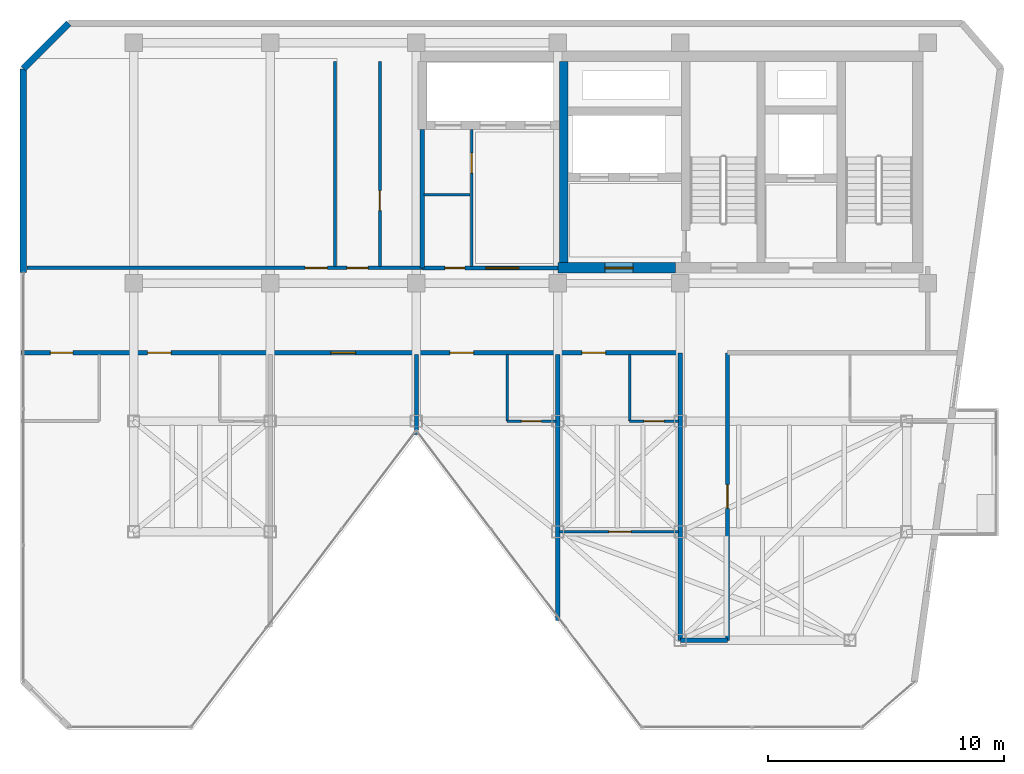
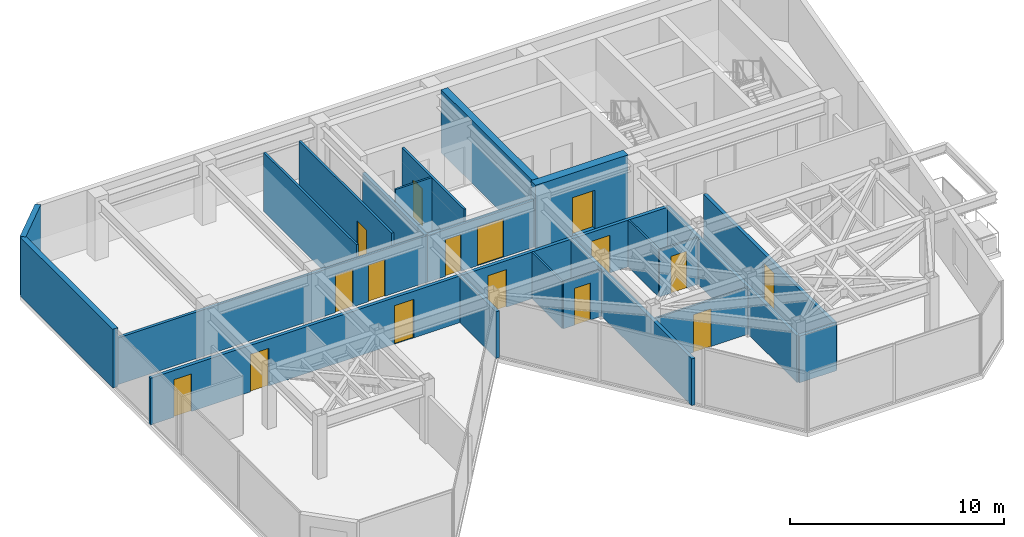
# One storey, part 15 of 19: 22 walls, 16 doors, 16 openings.
"""IFC4 building model written with IfcOpenShell, lengths in metres."""

import ifcopenshell
import ifcopenshell.guid

model = None  # the IFC model being written
_history = None  # IfcOwnerHistory: only IFC2X3 demands one
_inside = {}  # id of a spatial element -> (the spatial element, [elements in it])
_under = {}  # id of a project, library or spatial element -> (it, [spatial elements below it])
_declared = {}  # id of a project -> (the project, [libraries it declares])
_typed = {}  # id of a type object -> (the type object, [elements of that type])
_made_of = {}  # id of a material, layer set ... -> (it, [elements and type objects made of it])


def new_model(schema):
    """Start an empty IFC model of exactly this schema.

    Asked for "IFC4X3", IfcOpenShell would pick the latest addendum, in which some entities
    have other attributes; the version numbers below select the first issue.
    IFC2X3 requires an IfcOwnerHistory on every rooted entity: one is made here for all.
    """
    global model, _history
    if schema == "IFC4X3":
        model = ifcopenshell.file(schema_version=(4, 3, 0, 0))
    else:
        model = ifcopenshell.file(schema=schema)
    _inside.clear()
    _under.clear()
    _declared.clear()
    _typed.clear()
    _made_of.clear()
    _history = None
    if model.schema == "IFC2X3":
        org = make("IfcOrganization", Name="unknown")
        user = make(
            "IfcPersonAndOrganization",
            ThePerson=make("IfcPerson", FamilyName="unknown"),
            TheOrganization=org,
        )
        app = make(
            "IfcApplication",
            ApplicationDeveloper=org,
            Version="unknown",
            ApplicationFullName="unknown",
            ApplicationIdentifier="unknown",
        )
        _history = make(
            "IfcOwnerHistory",
            OwningUser=user,
            OwningApplication=app,
            ChangeAction="ADDED",
            CreationDate=0,
        )
    return model


def make(cls, **values):
    """One entity of the class cls with the attributes given. An attribute that is None is left unset."""
    return model.create_entity(
        cls, **{name: value for name, value in values.items() if value is not None}
    )


def rooted(cls, **values):
    """An entity with a GlobalId (a new one), such as an element, a storey or a relation."""
    return make(cls, GlobalId=ifcopenshell.guid.new(), OwnerHistory=_history, **values)


def si_unit(unit_type, name, prefix=None):
    """IfcSIUnit, for example si_unit("LENGTHUNIT", "METRE", prefix="MILLI")."""
    return make("IfcSIUnit", UnitType=unit_type, Prefix=prefix, Name=name)


def assignment(units):
    """IfcUnitAssignment: the units of a project."""
    return None if units is None else make("IfcUnitAssignment", Units=units)


def point(xyz):
    """IfcCartesianPoint."""
    return None if xyz is None else make("IfcCartesianPoint", Coordinates=xyz)


def direction(xyz):
    """IfcDirection."""
    return None if xyz is None else make("IfcDirection", DirectionRatios=xyz)


def frame(location, z_axis=None, x_axis=None):
    """IfcAxis2Placement3D, a coordinate frame: its origin and axes. An axis left out is left unset."""
    return make(
        "IfcAxis2Placement3D",
        Location=point(location),
        Axis=direction(z_axis),
        RefDirection=direction(x_axis),
    )


def frame_2d(location, x_axis=None):
    """IfcAxis2Placement2D, a coordinate frame in the plane: its origin and x axis."""
    return make(
        "IfcAxis2Placement2D", Location=point(location), RefDirection=direction(x_axis)
    )


def origin():
    """The frame at (0, 0, 0) with its axes left unset."""
    return frame((0.0, 0.0, 0.0))


def place(relative_to, where):
    """IfcLocalPlacement: puts the frame where relative to a parent placement (None: the world)."""
    return make(
        "IfcLocalPlacement", PlacementRelTo=relative_to, RelativePlacement=where
    )


def context(
    kind, dimensions, precision=None, world=None, true_north=None, identifier=None
):
    """IfcGeometricRepresentationContext, for example the 3D "Model" context."""
    return make(
        "IfcGeometricRepresentationContext",
        ContextIdentifier=identifier,
        ContextType=kind,
        CoordinateSpaceDimension=dimensions,
        Precision=precision,
        WorldCoordinateSystem=world,
        TrueNorth=true_north,
    )


def subcontext(parent, identifier, kind, view, scale=None):
    """IfcGeometricRepresentationSubContext, for example "Body" below "Model"."""
    return make(
        "IfcGeometricRepresentationSubContext",
        ContextIdentifier=identifier,
        ContextType=kind,
        ParentContext=parent,
        TargetScale=scale,
        TargetView=view,
    )


def project(units=None, contexts=None):
    """IfcProject with its units and contexts."""
    return rooted(
        "IfcProject",
        Name="project",
        RepresentationContexts=contexts,
        UnitsInContext=assignment(units),
    )


def spatial(cls, under=None, at=None, **own):
    """A site, building, storey or space (cls), placed at a placement, below another one or the project."""
    s = rooted(cls, ObjectPlacement=at, **own)
    if under is not None:
        _under.setdefault(under.id(), (under, []))[1].append(s)
    return s


def profile(cls, at=None, kind="AREA", **sizes):
    """A parametric profile (cls). Its sizes go by their IFC names, for example OverallWidth=200.0."""
    return make(cls, ProfileType=kind, Position=at, **sizes)


def rectangle(**sizes):
    """IfcRectangleProfileDef."""
    return profile("IfcRectangleProfileDef", **sizes)


def extrude(swept, where, along, depth):
    """IfcExtrudedAreaSolid: the profile swept, set in the frame where, extruded along a direction by depth."""
    return make(
        "IfcExtrudedAreaSolid",
        SweptArea=swept,
        Position=where,
        ExtrudedDirection=direction(along),
        Depth=depth,
    )


def shape(context_of_items, identifier, shape_type, items):
    """IfcShapeRepresentation: the items that make up one representation, for example the "Body"."""
    return make(
        "IfcShapeRepresentation",
        ContextOfItems=context_of_items,
        RepresentationIdentifier=identifier,
        RepresentationType=shape_type,
        Items=items,
    )


def material(Name=None, Category=None):
    """IfcMaterial."""
    return make("IfcMaterial", Name=Name, Category=Category)


def layer(
    of_material, thickness, ventilated=None, Name=None, Category=None, Priority=None
):
    """IfcMaterialLayer: one layer of a wall or slab, of a material (None: an air gap)."""
    return make(
        "IfcMaterialLayer",
        Material=of_material,
        LayerThickness=thickness,
        IsVentilated=ventilated,
        Name=Name,
        Category=Category,
        Priority=Priority,
    )


def layer_set(layers, Name=None):
    """IfcMaterialLayerSet."""
    return make("IfcMaterialLayerSet", MaterialLayers=layers, LayerSetName=Name)


def made_of(thing, what):
    """Note that an element or type object is made of a material, layer set ...; save() writes the relation."""
    if what is not None:
        _made_of.setdefault(what.id(), (what, []))[1].append(thing)
    return thing


def type_object(cls, material=None, **own):
    """A type object (cls), such as IfcWallType, which elements share."""
    return made_of(rooted(cls, **own), material)


def element(
    cls,
    number,
    at=None,
    inside=None,
    cuts=None,
    type_object=None,
    material=None,
    context=None,
    identifier="Body",
    shape_type=None,
    held_by="IfcProductDefinitionShape",
    body=None,
    shapes=None,
    **own,
):
    """One element of the class cls, such as IfcWall. Its Tag is "e" and its number.

    at: its placement. inside: the storey or other place that contains it. cuts: it is an
    opening in that element (IfcRelVoidsElement). A single representation is given by context,
    identifier, shape_type and body (its items); several are given by shapes. held_by: the class
    of the entity that holds the representations. save() writes the other relations.
    """
    e = rooted(cls, Tag="e%d" % number, ObjectPlacement=at, **own)
    if body is not None:
        shapes = [shape(context, identifier, shape_type, body)]
    if shapes is not None:
        e.Representation = make(held_by, Representations=shapes)
    if inside is not None:
        _inside.setdefault(inside.id(), (inside, []))[1].append(e)
    if cuts is not None:
        rooted(
            "IfcRelVoidsElement", RelatingBuildingElement=cuts, RelatedOpeningElement=e
        )
    if type_object is not None:
        _typed.setdefault(type_object.id(), (type_object, []))[1].append(e)
    return made_of(e, material)


def fill(opening, filler):
    """IfcRelFillsElement: the door or window that sits in an opening."""
    return rooted(
        "IfcRelFillsElement",
        RelatingOpeningElement=opening,
        RelatedBuildingElement=filler,
    )


def aggregate(whole, parts):
    """IfcRelAggregates: a whole, such as a stair, and the parts it consists of."""
    return rooted("IfcRelAggregates", RelatingObject=whole, RelatedObjects=parts)


def save(model, path):
    """Write the relations noted so far, then the file.

    IfcRelAggregates (storeys below a building ...), IfcRelContainedInSpatialStructure (elements
    in a storey), IfcRelDefinesByType, IfcRelAssociatesMaterial and IfcRelDeclares: one each for
    every whole, place, type object, material and project.
    """
    for whole, parts in _under.values():
        aggregate(whole, parts)
    for where, things in _inside.values():
        rooted(
            "IfcRelContainedInSpatialStructure",
            RelatedElements=things,
            RelatingStructure=where,
        )
    for kind, things in _typed.values():
        rooted("IfcRelDefinesByType", RelatedObjects=things, RelatingType=kind)
    for what, things in _made_of.values():
        rooted("IfcRelAssociatesMaterial", RelatedObjects=things, RelatingMaterial=what)
    for by, libraries in _declared.values():
        rooted("IfcRelDeclares", RelatingContext=by, RelatedDefinitions=libraries)
    model.write(path)


model = new_model("IFC4")

# Units and contexts
model_context = context("Model", 3, precision=1e-05, world=origin(), true_north=direction((0.0, 1.0)))
body_context = subcontext(model_context, "Body", "Model", "MODEL_VIEW")
ifc_project = project(units=[si_unit("LENGTHUNIT", "METRE"), si_unit("AREAUNIT", "SQUARE_METRE"), si_unit("VOLUMEUNIT", "CUBIC_METRE"), si_unit("PLANEANGLEUNIT", "RADIAN"), si_unit("MASSUNIT", "GRAM", prefix="KILO")], contexts=[model_context])

# Site, building, storey
site_placement = place(None, origin())
site = spatial("IfcSite", under=ifc_project, at=site_placement, CompositionType="ELEMENT")
building_placement = place(site_placement, origin())
building = spatial("IfcBuilding", under=site, at=building_placement, Name="Kravanh Interchange Tower", CompositionType="ELEMENT")
storey_placement = place(building_placement, frame((0.0, 0.0, 270.60009765625)))
storey = spatial("IfcBuildingStorey", under=building, at=storey_placement, Name="L66", CompositionType="ELEMENT", Elevation=270.60009765625)

# Wall, opening, door
ifc_material_1 = material(Name="Double Acoustic Gypsum Board and Mineral Wool")
ifc_layer_1 = layer(ifc_material_1, 0.1201171875)
ifc_layer_set_1 = layer_set([ifc_layer_1], Name="Acoustic Office Drywall Partition 120mm")
wall_type_1 = type_object("IfcWallType", Name="Acoustic Office Drywall Partition 120mm", PredefinedType="PARTITIONING", material=ifc_layer_set_1)
wall_1_placement = place(storey_placement, frame((47.14990234375, 38.068115234375, 0.0), z_axis=(0.0, 0.0, 1.0), x_axis=(0.0, 1.0, 0.0)))
wall_1 = element("IfcWall", 1, at=wall_1_placement, inside=storey, type_object=wall_type_1, Name="L66 Interior Partition 2", PredefinedType="PARTITIONING", context=body_context, shape_type="SweptSolid", body=[
    extrude(rectangle(XDim=5.798828125, YDim=0.1201171875, at=frame_2d((2.8994140625, 0.0))), origin(), (0.0, 0.0, 1.0), 3.35986328125),
])
opening_1_placement = place(wall_1_placement, frame((3.95703125, 0.0, 0.0)))
opening_1 = element("IfcOpeningElement", 2, at=opening_1_placement, cuts=wall_1, Name="Opening D-85", PredefinedType="OPENING", context=body_context, shape_type="SweptSolid", body=[
    extrude(rectangle(XDim=0.85009765625, YDim=2.10009765625, at=frame_2d((0.425048828125, 1.050048828125))), frame((0.0, 0.070068359375, 0.0), z_axis=(0.0, -1.0, 0.0), x_axis=(1.0, 0.0, 0.0)), (0.0, 0.0, 1.0), 0.14013671875),
])
ifc_material_2 = material(Name="Engineered Teak Veneer Timber", Category="wood")
door_type_1 = type_object("IfcDoorType", Name="En-Suite Timber Door 850x2100", OperationType="NOTDEFINED", PredefinedType="DOOR", material=ifc_material_2)
door_1_placement = place(opening_1_placement, origin())
door_1 = element("IfcDoor", 3, at=door_1_placement, inside=storey, type_object=door_type_1, Name="L66 Core Valet Store Door", OperationType="SINGLE_SWING_LEFT", OverallHeight=2.10009765625, OverallWidth=0.85009765625, PredefinedType="DOOR", context=body_context, shape_type="SweptSolid", body=[
    extrude(rectangle(XDim=0.85009765625, YDim=2.10009765625, at=frame_2d((0.425048828125, 1.050048828125))), frame((0.0, 0.02490234375, 0.0), z_axis=(0.0, -1.0, 0.0), x_axis=(1.0, 0.0, 0.0)), (0.0, 0.0, 1.0), 0.050048828125),
])
fill(opening_1, door_1)

# Wall
wall_2_placement = place(storey_placement, frame((41.35009765625, 38.068115234375, 0.0), z_axis=(0.0, 0.0, 1.0), x_axis=(0.0, 1.0, 0.0)))
element("IfcWall", 4, at=wall_2_placement, inside=storey, type_object=wall_type_1, Name="L66 Interior Partition 7", PredefinedType="PARTITIONING", context=body_context, shape_type="SweptSolid", body=[
    extrude(rectangle(XDim=8.681884765625, YDim=0.1201171875, at=frame_2d((4.3408203125, 0.0))), origin(), (0.0, 0.0, 1.0), 3.35986328125),
])

# Wall, opening, door
wall_3_placement = place(storey_placement, frame((43.25, 38.068115234375, 0.0), z_axis=(0.0, 0.0, 1.0), x_axis=(0.0, 1.0, 0.0)))
wall_3 = element("IfcWall", 5, at=wall_3_placement, inside=storey, type_object=wall_type_1, Name="L66 Interior Partition 8", PredefinedType="PARTITIONING", context=body_context, shape_type="SweptSolid", body=[
    extrude(rectangle(XDim=8.681884765625, YDim=0.1201171875, at=frame_2d((4.3408203125, 0.0))), origin(), (0.0, 0.0, 1.0), 3.35986328125),
])
opening_2_placement = place(wall_3_placement, frame((2.365966796875, 0.0, 0.0)))
opening_2 = element("IfcOpeningElement", 6, at=opening_2_placement, cuts=wall_3, Name="Opening D-85", PredefinedType="OPENING", context=body_context, shape_type="SweptSolid", body=[
    extrude(rectangle(XDim=0.85009765625, YDim=2.10009765625, at=frame_2d((0.425048828125, 1.050048828125))), frame((0.0, 0.070068359375, 0.0), z_axis=(0.0, -1.0, 0.0), x_axis=(1.0, 0.0, 0.0)), (0.0, 0.0, 1.0), 0.14013671875),
])
door_2_placement = place(opening_2_placement, origin())
door_2 = element("IfcDoor", 7, at=door_2_placement, inside=storey, type_object=door_type_1, Name="L66 Pantry Store Inner Door", OperationType="SINGLE_SWING_RIGHT", OverallHeight=2.10009765625, OverallWidth=0.85009765625, PredefinedType="DOOR", context=body_context, shape_type="SweptSolid", body=[
    extrude(rectangle(XDim=0.85009765625, YDim=2.10009765625, at=frame_2d((0.425048828125, 1.050048828125))), frame((0.0, 0.02490234375, 0.0), z_axis=(0.0, -1.0, 0.0), x_axis=(1.0, 0.0, 0.0)), (0.0, 0.0, 1.0), 0.050048828125),
])
fill(opening_2, door_2)

# Wall
ifc_material_3 = material(Name="Concrete C60/75", Category="concrete")
ifc_layer_2 = layer(ifc_material_3, 0.35009765625)
ifc_layer_set_2 = layer_set([ifc_layer_2], Name="Core Shear Wall Concrete C60/75 350mm")
wall_type_2 = type_object("IfcWallType", Name="Core Shear Wall Concrete C60/75 350mm", PredefinedType="SHEAR", material=ifc_layer_set_2)
wall_4_placement = place(storey_placement, frame((51.050048828125, 38.22509765625, 0.0), z_axis=(0.0, 0.0, 1.0), x_axis=(0.0, 1.0, 0.0)))
element("IfcWall", 8, at=wall_4_placement, inside=storey, type_object=wall_type_2, Name="L66 Firefighting Lobby West Wall", PredefinedType="SHEAR", context=body_context, shape_type="SweptSolid", body=[
    extrude(rectangle(XDim=8.52490234375, YDim=0.35009765625, at=frame_2d((4.262451171875, 0.0))), origin(), (0.0, 0.0, 1.0), 3.599853515625),
])

# Wall, opening, door
ifc_material_4 = material(Name="Concrete C60/75", Category="concrete")
ifc_layer_3 = layer(ifc_material_4, 0.449951171875)
ifc_layer_set_3 = layer_set([ifc_layer_3], Name="Core Shear Wall Concrete C60/75 450mm")
wall_type_3 = type_object("IfcWallType", Name="Core Shear Wall Concrete C60/75 450mm", PredefinedType="SHEAR", material=ifc_layer_set_3)
wall_5_placement = place(storey_placement, frame((50.800048828125, 38.0, 0.0), z_axis=(0.0, 0.0, 1.0), x_axis=(1.0, 0.0, 0.0)))
wall_5 = element("IfcWall", 9, at=wall_5_placement, inside=storey, type_object=wall_type_3, Name="L66 Firefighting Lobby South Shear Wall", PredefinedType="SHEAR", context=body_context, shape_type="SweptSolid", body=[
    extrude(rectangle(XDim=5.0, YDim=0.449951171875, at=frame_2d((2.5, 0.0))), origin(), (0.0, 0.0, 1.0), 3.599853515625),
])
opening_3_placement = place(wall_5_placement, frame((2.0, 0.0, 0.0)))
opening_3 = element("IfcOpeningElement", 10, at=opening_3_placement, cuts=wall_5, Name="Opening D-FSAE-120", PredefinedType="OPENING", context=body_context, shape_type="SweptSolid", body=[
    extrude(rectangle(XDim=1.199951171875, YDim=2.199951171875, at=frame_2d((0.60009765625, 1.10009765625))), frame((0.0, 0.23486328125, 0.0), z_axis=(0.0, -1.0, 0.0), x_axis=(1.0, 0.0, 0.0)), (0.0, 0.0, 1.0), 0.469970703125),
])
ifc_material_5 = material(Name="Structural Steel S355", Category="steel")
door_type_2 = type_object("IfcDoorType", Name="Fire-Rated Refuge and FSAE Door 1200x2200", OperationType="NOTDEFINED", PredefinedType="DOOR", material=ifc_material_5)
door_3_placement = place(opening_3_placement, origin())
door_3 = element("IfcDoor", 11, at=door_3_placement, inside=storey, type_object=door_type_2, Name="L66 Firefighting Lobby Corridor Door", OperationType="SINGLE_SWING_RIGHT", OverallHeight=2.199951171875, OverallWidth=1.199951171875, PredefinedType="DOOR", context=body_context, shape_type="SweptSolid", body=[
    extrude(rectangle(XDim=1.199951171875, YDim=2.199951171875, at=frame_2d((0.60009765625, 1.10009765625))), frame((0.0, 0.02490234375, 0.0), z_axis=(0.0, -1.0, 0.0), x_axis=(1.0, 0.0, 0.0)), (0.0, 0.0, 1.0), 0.050048828125),
])
fill(opening_3, door_3)

# Walls
ifc_material_6 = material(Name="Moisture-Resistant Gypsum Board and Mineral Wool")
ifc_layer_4 = layer(ifc_material_6, 0.10009765625)
ifc_layer_set_4 = layer_set([ifc_layer_4], Name="En-Suite Moisture-Resistant Partition 100mm")
wall_type_4 = type_object("IfcWallType", Name="En-Suite Moisture-Resistant Partition 100mm", PredefinedType="PARTITIONING", material=ifc_layer_set_4)
wall_6_placement = place(storey_placement, frame((45.117919921875, 41.10009765625, 0.0), z_axis=(0.0, 0.0, 1.0), x_axis=(1.0, 0.0, 0.0)))
element("IfcWall", 12, at=wall_6_placement, inside=storey, type_object=wall_type_4, Name="L66 Interior Partition 3", PredefinedType="PARTITIONING", context=body_context, shape_type="SweptSolid", body=[
    extrude(rectangle(XDim=1.964111328125, YDim=0.10009765625, at=frame_2d((0.98193359375, 0.0))), origin(), (0.0, 0.0, 1.0), 3.35986328125),
])
wall_7_placement = place(storey_placement, frame((48.64990234375, 31.5, 0.0), z_axis=(0.0, 0.0, 1.0), x_axis=(0.0, 1.0, 0.0)))
element("IfcWall", 13, at=wall_7_placement, inside=storey, type_object=wall_type_4, Name="L66 Interior Partition 23", PredefinedType="PARTITIONING", context=body_context, shape_type="SweptSolid", body=[
    extrude(rectangle(XDim=2.83203125, YDim=0.10009765625, at=frame_2d((1.416015625, 0.0))), origin(), (0.0, 0.0, 1.0), 2.663818359375),
])

# Wall, opening, door
wall_8_placement = place(storey_placement, frame((48.64990234375, 31.5, 0.0), z_axis=(0.0, 0.0, 1.0), x_axis=(1.0, 0.0, 0.0)))
wall_8 = element("IfcWall", 14, at=wall_8_placement, inside=storey, type_object=wall_type_4, Name="L66 Interior Partition 24", PredefinedType="PARTITIONING", context=body_context, shape_type="SweptSolid", body=[
    extrude(rectangle(XDim=2.08203125, YDim=0.10009765625, at=frame_2d((1.041015625, 0.0))), origin(), (0.0, 0.0, 1.0), 2.663818359375),
])
opening_4_placement = place(wall_8_placement, frame((0.607421875, 0.0, 0.0)))
opening_4 = element("IfcOpeningElement", 15, at=opening_4_placement, cuts=wall_8, Name="Opening D-85", PredefinedType="OPENING", context=body_context, shape_type="SweptSolid", body=[
    extrude(rectangle(XDim=0.85009765625, YDim=2.10009765625, at=frame_2d((0.425048828125, 1.050048828125))), frame((0.0, 0.06005859375, 0.0), z_axis=(0.0, -1.0, 0.0), x_axis=(1.0, 0.0, 0.0)), (0.0, 0.0, 1.0), 0.1201171875),
])
door_4_placement = place(opening_4_placement, origin())
door_4 = element("IfcDoor", 16, at=door_4_placement, inside=storey, type_object=door_type_1, Name="L66 En-suite Bathroom Door", OperationType="SINGLE_SWING_RIGHT", OverallHeight=2.10009765625, OverallWidth=0.85009765625, PredefinedType="DOOR", context=body_context, shape_type="SweptSolid", body=[
    extrude(rectangle(XDim=0.85009765625, YDim=2.10009765625, at=frame_2d((0.425048828125, 1.050048828125))), frame((0.0, 0.02490234375, 0.0), z_axis=(0.0, -1.0, 0.0), x_axis=(1.0, 0.0, 0.0)), (0.0, 0.0, 1.0), 0.050048828125),
])
fill(opening_4, door_4)

wall_9_placement = place(storey_placement, frame((50.867919921875, 26.800048828125, 0.0), z_axis=(0.0, 0.0, 1.0), x_axis=(1.0, 0.0, 0.0)))
wall_9 = element("IfcWall", 17, at=wall_9_placement, inside=storey, type_object=wall_type_4, Name="L66 Interior Partition 26", PredefinedType="PARTITIONING", context=body_context, shape_type="SweptSolid", body=[
    extrude(rectangle(XDim=5.06396484375, YDim=0.10009765625, at=frame_2d((2.531982421875, 0.0))), origin(), (0.0, 0.0, 1.0), 2.663818359375),
])
opening_5_placement = place(wall_9_placement, frame((2.09716796875, 0.0, 0.0)))
opening_5 = element("IfcOpeningElement", 18, at=opening_5_placement, cuts=wall_9, Name="Opening D-95", PredefinedType="OPENING", context=body_context, shape_type="SweptSolid", body=[
    extrude(rectangle(XDim=0.949951171875, YDim=2.14990234375, at=frame_2d((0.47509765625, 1.074951171875))), frame((0.0, 0.06005859375, 0.0), z_axis=(0.0, -1.0, 0.0), x_axis=(1.0, 0.0, 0.0)), (0.0, 0.0, 1.0), 0.1201171875),
])
ifc_material_7 = material(Name="Laminate Solid-Core Timber", Category="wood")
door_type_3 = type_object("IfcDoorType", Name="Accessible Restroom Door 950x2150", OperationType="NOTDEFINED", PredefinedType="DOOR", material=ifc_material_7)
door_5_placement = place(opening_5_placement, origin())
door_5 = element("IfcDoor", 19, at=door_5_placement, inside=storey, type_object=door_type_3, Name="L66 Sunroom Alcove Inner Door", OperationType="SINGLE_SWING_LEFT", OverallHeight=2.14990234375, OverallWidth=0.949951171875, PredefinedType="DOOR", context=body_context, shape_type="SweptSolid", body=[
    extrude(rectangle(XDim=0.949951171875, YDim=2.14990234375, at=frame_2d((0.47509765625, 1.074951171875))), frame((0.0, 0.02490234375, 0.0), z_axis=(0.0, -1.0, 0.0), x_axis=(1.0, 0.0, 0.0)), (0.0, 0.0, 1.0), 0.050048828125),
])
fill(opening_5, door_5)

# Wall
wall_10_placement = place(storey_placement, frame((53.85009765625, 31.5, 0.0), z_axis=(0.0, 0.0, 1.0), x_axis=(0.0, 1.0, 0.0)))
element("IfcWall", 20, at=wall_10_placement, inside=storey, type_object=wall_type_4, Name="L66 Interior Partition 27", PredefinedType="PARTITIONING", context=body_context, shape_type="SweptSolid", body=[
    extrude(rectangle(XDim=2.83203125, YDim=0.10009765625, at=frame_2d((1.416015625, 0.0))), origin(), (0.0, 0.0, 1.0), 2.663818359375),
])

# Wall, opening, door
wall_11_placement = place(storey_placement, frame((53.85009765625, 31.5, 0.0), z_axis=(0.0, 0.0, 1.0), x_axis=(1.0, 0.0, 0.0)))
wall_11 = element("IfcWall", 21, at=wall_11_placement, inside=storey, type_object=wall_type_4, Name="L66 Interior Partition 28", PredefinedType="PARTITIONING", context=body_context, shape_type="SweptSolid", body=[
    extrude(rectangle(XDim=2.081787109375, YDim=0.10009765625, at=frame_2d((1.041015625, 0.0))), origin(), (0.0, 0.0, 1.0), 2.663818359375),
])
opening_6_placement = place(wall_11_placement, frame((0.607421875, 0.0, 0.0)))
opening_6 = element("IfcOpeningElement", 22, at=opening_6_placement, cuts=wall_11, Name="Opening D-85", PredefinedType="OPENING", context=body_context, shape_type="SweptSolid", body=[
    extrude(rectangle(XDim=0.85009765625, YDim=2.10009765625, at=frame_2d((0.425048828125, 1.050048828125))), frame((0.0, 0.06005859375, 0.0), z_axis=(0.0, -1.0, 0.0), x_axis=(1.0, 0.0, 0.0)), (0.0, 0.0, 1.0), 0.1201171875),
])
door_6_placement = place(opening_6_placement, origin())
door_6 = element("IfcDoor", 23, at=door_6_placement, inside=storey, type_object=door_type_1, Name="L66 En-suite Bathroom Door", OperationType="SINGLE_SWING_LEFT", OverallHeight=2.10009765625, OverallWidth=0.85009765625, PredefinedType="DOOR", context=body_context, shape_type="SweptSolid", body=[
    extrude(rectangle(XDim=0.85009765625, YDim=2.10009765625, at=frame_2d((0.425048828125, 1.050048828125))), frame((0.0, 0.02490234375, 0.0), z_axis=(0.0, -1.0, 0.0), x_axis=(1.0, 0.0, 0.0)), (0.0, 0.0, 1.0), 0.050048828125),
])
fill(opening_6, door_6)

# Walls
ifc_material_8 = material(Name="Insulated Precast Concrete C40/50 with Bronze Cladding", Category="concrete")
ifc_layer_5 = layer(ifc_material_8, 0.280029296875)
ifc_layer_set_5 = layer_set([ifc_layer_5], Name="Exterior Insulated Concrete C40/50 Bronze Spandrel Wall 280mm")
wall_type_5 = type_object("IfcWallType", Name="Exterior Insulated Concrete C40/50 Bronze Spandrel Wall 280mm", PredefinedType="STANDARD", material=ifc_layer_set_5)
wall_12_placement = place(storey_placement, frame((28.1201171875, 37.800048828125, 0.0), z_axis=(0.0, 0.0, 1.0), x_axis=(0.0, 1.0, 0.0)))
element("IfcWall", 24, at=wall_12_placement, inside=storey, type_object=wall_type_5, Name="L66 Exterior Wall 1", PredefinedType="STANDARD", context=body_context, shape_type="SweptSolid", body=[
    extrude(rectangle(XDim=8.650146484375, YDim=0.280029296875, at=frame_2d((4.3251953125, 0.0))), origin(), (0.0, 0.0, 1.0), 3.35986328125),
])
wall_13_placement = place(storey_placement, frame((28.1201171875, 46.4501953125, 0.0), z_axis=(0.0, 0.0, 1.0), x_axis=(0.707106781187, 0.707106781187, 0.0)))
element("IfcWall", 25, at=wall_13_placement, inside=storey, type_object=wall_type_5, Name="L66 Exterior Wall 2", PredefinedType="STANDARD", context=body_context, shape_type="SweptSolid", body=[
    extrude(rectangle(XDim=2.72900390625, YDim=0.280029296875, at=frame_2d((1.364501953125, 0.0))), origin(), (0.0, 0.0, 1.0), 3.35986328125),
])

# Wall, openings, doors
ifc_material_9 = material(Name="Autoclaved Aerated Concrete C30/37 Blockwork", Category="masonry")
ifc_layer_6 = layer(ifc_material_9, 0.179931640625)
ifc_layer_set_6 = layer_set([ifc_layer_6], Name="Fire-Rated Lobby and Corridor Wall Concrete C30/37 180mm")
wall_type_6 = type_object("IfcWallType", Name="Fire-Rated Lobby and Corridor Wall Concrete C30/37 180mm", PredefinedType="STANDARD", material=ifc_layer_set_6)
wall_14_placement = place(storey_placement, frame((45.050048828125, 38.0, 0.0), z_axis=(0.0, 0.0, 1.0), x_axis=(1.0, 0.0, 0.0)))
wall_14 = element("IfcWall", 26, at=wall_14_placement, inside=storey, type_object=wall_type_6, Name="L66 High-Rise Lift Lobby Wall 1", PredefinedType="STANDARD", context=body_context, shape_type="SweptSolid", body=[
    extrude(rectangle(XDim=5.75, YDim=0.179931640625, at=frame_2d((2.875, 0.0))), origin(), (0.0, 0.0, 1.0), 2.663818359375),
])
opening_7_placement = place(wall_14_placement, frame((0.9541015625, 0.0, 0.0)))
opening_7 = element("IfcOpeningElement", 27, at=opening_7_placement, cuts=wall_14, Name="Opening D-85", PredefinedType="OPENING", context=body_context, shape_type="SweptSolid", body=[
    extrude(rectangle(XDim=0.85009765625, YDim=2.10009765625, at=frame_2d((0.425048828125, 1.050048828125))), frame((0.0, 0.10009765625, 0.0), z_axis=(0.0, -1.0, 0.0), x_axis=(1.0, 0.0, 0.0)), (0.0, 0.0, 1.0), 0.199951171875),
])
opening_8_placement = place(wall_14_placement, frame((2.699951171875, 0.0, 0.0)))
opening_8 = element("IfcOpeningElement", 28, at=opening_8_placement, cuts=wall_14, Name="Opening DBL-140", PredefinedType="OPENING", context=body_context, shape_type="SweptSolid", body=[
    extrude(rectangle(XDim=1.39990234375, YDim=2.199951171875, at=frame_2d((0.699951171875, 1.10009765625))), frame((0.0, 0.10009765625, 0.0), z_axis=(0.0, -1.0, 0.0), x_axis=(1.0, 0.0, 0.0)), (0.0, 0.0, 1.0), 0.199951171875),
])
door_7_placement = place(opening_7_placement, origin())
door_7 = element("IfcDoor", 29, at=door_7_placement, inside=storey, type_object=door_type_1, Name="L66 Core Housekeeping Utility Door", OperationType="SINGLE_SWING_RIGHT", OverallHeight=2.10009765625, OverallWidth=0.85009765625, PredefinedType="DOOR", context=body_context, shape_type="SweptSolid", body=[
    extrude(rectangle(XDim=0.85009765625, YDim=2.10009765625, at=frame_2d((0.425048828125, 1.050048828125))), frame((0.0, 0.02490234375, 0.0), z_axis=(0.0, -1.0, 0.0), x_axis=(1.0, 0.0, 0.0)), (0.0, 0.0, 1.0), 0.050048828125),
])
fill(opening_7, door_7)
ifc_material_10 = material(Name="Acoustic Bronze-Framed Glass", Category="glass")
door_type_4 = type_object("IfcDoorType", Name="Hospitality Lounge Double Door 1400x2200", OperationType="DOUBLE_DOOR_SINGLE_SWING", PredefinedType="DOOR", material=ifc_material_10)
door_8_placement = place(opening_8_placement, origin())
door_8 = element("IfcDoor", 30, at=door_8_placement, inside=storey, type_object=door_type_4, Name="L66 High-Rise Lift Lobby Door", OperationType="DOUBLE_DOOR_SINGLE_SWING", OverallHeight=2.199951171875, OverallWidth=1.39990234375, PredefinedType="DOOR", context=body_context, shape_type="SweptSolid", body=[
    extrude(rectangle(XDim=1.39990234375, YDim=2.199951171875, at=frame_2d((0.699951171875, 1.10009765625))), frame((0.0, 0.02490234375, 0.0), z_axis=(0.0, -1.0, 0.0), x_axis=(1.0, 0.0, 0.0)), (0.0, 0.0, 1.0), 0.050048828125),
])
fill(opening_8, door_8)

# Wall
wall_15_placement = place(storey_placement, frame((45.050048828125, 38.0, 0.0), z_axis=(0.0, 0.0, 1.0), x_axis=(0.0, 1.0, 0.0)))
element("IfcWall", 31, at=wall_15_placement, inside=storey, type_object=wall_type_6, Name="L66 Interior Partition 4", PredefinedType="STANDARD", context=body_context, shape_type="SweptSolid", body=[
    extrude(rectangle(XDim=5.875, YDim=0.179931640625, at=frame_2d((2.9375, 0.0))), origin(), (0.0, 0.0, 1.0), 2.663818359375),
])

# Wall, openings, doors
wall_16_placement = place(storey_placement, frame((28.014892578125, 34.39990234375, 0.0), z_axis=(0.0, 0.0, 1.0), x_axis=(1.0, 0.0, 0.0)))
wall_16 = element("IfcWall", 32, at=wall_16_placement, inside=storey, type_object=wall_type_6, Name="L66 Interior Partition 9", PredefinedType="STANDARD", context=body_context, shape_type="SweptSolid", body=[
    extrude(rectangle(XDim=27.985107421875, YDim=0.179931640625, at=frame_2d((13.99267578125, 0.0))), origin(), (0.0, 0.0, 1.0), 2.663818359375),
])
opening_9_placement = place(wall_16_placement, frame((1.25927734375, 0.0, 0.0)))
opening_9 = element("IfcOpeningElement", 33, at=opening_9_placement, cuts=wall_16, Name="Opening D-95", PredefinedType="OPENING", context=body_context, shape_type="SweptSolid", body=[
    extrude(rectangle(XDim=0.949951171875, YDim=2.14990234375, at=frame_2d((0.47509765625, 1.074951171875))), frame((0.0, 0.10009765625, 0.0), z_axis=(0.0, -1.0, 0.0), x_axis=(1.0, 0.0, 0.0)), (0.0, 0.0, 1.0), 0.199951171875),
])
opening_10_placement = place(wall_16_placement, frame((5.3798828125, 0.0, 0.0)))
opening_10 = element("IfcOpeningElement", 34, at=opening_10_placement, cuts=wall_16, Name="Opening D-HOTEL-100", PredefinedType="OPENING", context=body_context, shape_type="SweptSolid", body=[
    extrude(rectangle(XDim=1.0, YDim=2.14990234375, at=frame_2d((0.5, 1.074951171875))), frame((0.0, 0.10009765625, 0.0), z_axis=(0.0, -1.0, 0.0), x_axis=(1.0, 0.0, 0.0)), (0.0, 0.0, 1.0), 0.199951171875),
])
opening_11_placement = place(wall_16_placement, frame((13.159912109375, 0.0, 0.0)))
opening_11 = element("IfcOpeningElement", 35, at=opening_11_placement, cuts=wall_16, Name="Opening D-105", PredefinedType="OPENING", context=body_context, shape_type="SweptSolid", body=[
    extrude(rectangle(XDim=1.050048828125, YDim=2.199951171875, at=frame_2d((0.52490234375, 1.10009765625))), frame((0.0, 0.10009765625, 0.0), z_axis=(0.0, -1.0, 0.0), x_axis=(1.0, 0.0, 0.0)), (0.0, 0.0, 1.0), 0.199951171875),
])
opening_12_placement = place(wall_16_placement, frame((18.2099609375, 0.0, 0.0)))
opening_12 = element("IfcOpeningElement", 36, at=opening_12_placement, cuts=wall_16, Name="Opening D-HOTEL-100", PredefinedType="OPENING", context=body_context, shape_type="SweptSolid", body=[
    extrude(rectangle(XDim=1.0, YDim=2.14990234375, at=frame_2d((0.5, 1.074951171875))), frame((0.0, 0.10009765625, 0.0), z_axis=(0.0, -1.0, 0.0), x_axis=(1.0, 0.0, 0.0)), (0.0, 0.0, 1.0), 0.199951171875),
])
opening_13_placement = place(wall_16_placement, frame((23.81005859375, 0.0, 0.0)))
opening_13 = element("IfcOpeningElement", 37, at=opening_13_placement, cuts=wall_16, Name="Opening D-HOTEL-100", PredefinedType="OPENING", context=body_context, shape_type="SweptSolid", body=[
    extrude(rectangle(XDim=1.0, YDim=2.14990234375, at=frame_2d((0.5, 1.074951171875))), frame((0.0, 0.10009765625, 0.0), z_axis=(0.0, -1.0, 0.0), x_axis=(1.0, 0.0, 0.0)), (0.0, 0.0, 1.0), 0.199951171875),
])
door_9_placement = place(opening_9_placement, origin())
door_9 = element("IfcDoor", 38, at=door_9_placement, inside=storey, type_object=door_type_3, Name="L66 Accessible WC Door", OperationType="SINGLE_SWING_LEFT", OverallHeight=2.14990234375, OverallWidth=0.949951171875, PredefinedType="DOOR", context=body_context, shape_type="SweptSolid", body=[
    extrude(rectangle(XDim=0.949951171875, YDim=2.14990234375, at=frame_2d((0.47509765625, 1.074951171875))), frame((0.0, 0.02490234375, 0.0), z_axis=(0.0, -1.0, 0.0), x_axis=(1.0, 0.0, 0.0)), (0.0, 0.0, 1.0), 0.050048828125),
])
fill(opening_9, door_9)
ifc_material_11 = material(Name="Fire-Rated Solid Timber Leaf", Category="wood")
door_type_5 = type_object("IfcDoorType", Name="Fire-Rated Suite Entrance Door 1000x2150", OperationType="NOTDEFINED", PredefinedType="DOOR", material=ifc_material_11)
door_10_placement = place(opening_10_placement, origin())
door_10 = element("IfcDoor", 39, at=door_10_placement, inside=storey, type_object=door_type_5, Name="L66 Diplomatic Hotel Suite Entrance Door", OperationType="SINGLE_SWING_RIGHT", OverallHeight=2.14990234375, OverallWidth=1.0, PredefinedType="DOOR", context=body_context, shape_type="SweptSolid", body=[
    extrude(rectangle(XDim=1.0, YDim=2.14990234375, at=frame_2d((0.5, 1.074951171875))), frame((0.0, 0.02490234375, 0.0), z_axis=(0.0, -1.0, 0.0), x_axis=(1.0, 0.0, 0.0)), (0.0, 0.0, 1.0), 0.050048828125),
])
fill(opening_10, door_10)
door_11_placement = place(opening_12_placement, origin())
door_11 = element("IfcDoor", 40, at=door_11_placement, inside=storey, type_object=door_type_5, Name="L66 Royal Hotel Suite Entrance Door", OperationType="SINGLE_SWING_LEFT", OverallHeight=2.14990234375, OverallWidth=1.0, PredefinedType="DOOR", context=body_context, shape_type="SweptSolid", body=[
    extrude(rectangle(XDim=1.0, YDim=2.14990234375, at=frame_2d((0.5, 1.074951171875))), frame((0.0, 0.02490234375, 0.0), z_axis=(0.0, -1.0, 0.0), x_axis=(1.0, 0.0, 0.0)), (0.0, 0.0, 1.0), 0.050048828125),
])
fill(opening_12, door_11)
door_12_placement = place(opening_13_placement, origin())
door_12 = element("IfcDoor", 41, at=door_12_placement, inside=storey, type_object=door_type_5, Name="L66 Hotel Guest Room E Entrance Door", OperationType="SINGLE_SWING_RIGHT", OverallHeight=2.14990234375, OverallWidth=1.0, PredefinedType="DOOR", context=body_context, shape_type="SweptSolid", body=[
    extrude(rectangle(XDim=1.0, YDim=2.14990234375, at=frame_2d((0.5, 1.074951171875))), frame((0.0, 0.02490234375, 0.0), z_axis=(0.0, -1.0, 0.0), x_axis=(1.0, 0.0, 0.0)), (0.0, 0.0, 1.0), 0.050048828125),
])
fill(opening_13, door_12)
ifc_material_12 = material(Name="Acoustic Glazed Oak and Aluminium", Category="aluminium")
door_type_6 = type_object("IfcDoorType", Name="Office Workplace Door 1050x2200", OperationType="NOTDEFINED", PredefinedType="DOOR", material=ifc_material_12)
door_13_placement = place(opening_11_placement, origin())
door_13 = element("IfcDoor", 42, at=door_13_placement, inside=storey, type_object=door_type_6, Name="L66 Protocol Meeting Room 1 Door", OperationType="SINGLE_SWING_RIGHT", OverallHeight=2.199951171875, OverallWidth=1.050048828125, PredefinedType="DOOR", context=body_context, shape_type="SweptSolid", body=[
    extrude(rectangle(XDim=1.050048828125, YDim=2.199951171875, at=frame_2d((0.52490234375, 1.10009765625))), frame((0.0, 0.02490234375, 0.0), z_axis=(0.0, -1.0, 0.0), x_axis=(1.0, 0.0, 0.0)), (0.0, 0.0, 1.0), 0.050048828125),
])
fill(opening_11, door_13)

# Wall
wall_17_placement = place(storey_placement, frame((56.0, 22.199951171875, 0.0), z_axis=(0.0, 0.0, 1.0), x_axis=(0.0, 1.0, 0.0)))
element("IfcWall", 43, at=wall_17_placement, inside=storey, type_object=wall_type_6, Name="L66 Interior Partition 12", PredefinedType="STANDARD", context=body_context, shape_type="SweptSolid", body=[
    extrude(rectangle(XDim=12.199951171875, YDim=0.179931640625, at=frame_2d((6.10009765625, 0.0))), origin(), (0.0, 0.0, 1.0), 2.663818359375),
])

# Wall, opening, door
wall_18_placement = place(storey_placement, frame((58.0, 22.199951171875, 0.0), z_axis=(0.0, 0.0, 1.0), x_axis=(0.0, 1.0, 0.0)))
wall_18 = element("IfcWall", 44, at=wall_18_placement, inside=storey, type_object=wall_type_6, Name="L66 Interior Partition 13", PredefinedType="STANDARD", context=body_context, shape_type="SweptSolid", body=[
    extrude(rectangle(XDim=12.199951171875, YDim=0.179931640625, at=frame_2d((6.10009765625, 0.0))), origin(), (0.0, 0.0, 1.0), 2.663818359375),
])
opening_14_placement = place(wall_18_placement, frame((5.60009765625, 0.0, 0.0)))
opening_14 = element("IfcOpeningElement", 45, at=opening_14_placement, cuts=wall_18, Name="Opening D-HOTEL-100", PredefinedType="OPENING", context=body_context, shape_type="SweptSolid", body=[
    extrude(rectangle(XDim=1.0, YDim=2.14990234375, at=frame_2d((0.5, 1.074951171875))), frame((0.0, 0.10009765625, 0.0), z_axis=(0.0, -1.0, 0.0), x_axis=(1.0, 0.0, 0.0)), (0.0, 0.0, 1.0), 0.199951171875),
])
door_14_placement = place(opening_14_placement, origin())
door_14 = element("IfcDoor", 46, at=door_14_placement, inside=storey, type_object=door_type_5, Name="L66 Ambassador Balcony Hotel Suite Entrance Door", OperationType="SINGLE_SWING_RIGHT", OverallHeight=2.14990234375, OverallWidth=1.0, PredefinedType="DOOR", context=body_context, shape_type="SweptSolid", body=[
    extrude(rectangle(XDim=1.0, YDim=2.14990234375, at=frame_2d((0.5, 1.074951171875))), frame((0.0, 0.02490234375, 0.0), z_axis=(0.0, -1.0, 0.0), x_axis=(1.0, 0.0, 0.0)), (0.0, 0.0, 1.0), 0.050048828125),
])
fill(opening_14, door_14)

# Walls
wall_19_placement = place(storey_placement, frame((56.0, 22.199951171875, 0.0), z_axis=(0.0, 0.0, 1.0), x_axis=(1.0, 0.0, 0.0)))
element("IfcWall", 47, at=wall_19_placement, inside=storey, type_object=wall_type_6, Name="L66 Interior Partition 14", PredefinedType="STANDARD", context=body_context, shape_type="SweptSolid", body=[
    extrude(rectangle(XDim=2.0, YDim=0.179931640625, at=frame_2d((1.0, 0.0))), origin(), (0.0, 0.0, 1.0), 2.663818359375),
])
wall_20_placement = place(storey_placement, frame((44.800048828125, 30.9248046875, 0.0), z_axis=(0.0, 0.0, 1.0), x_axis=(0.0, 1.0, 0.0)))
element("IfcWall", 48, at=wall_20_placement, inside=storey, type_object=wall_type_6, Name="L66 Interior Partition 22", PredefinedType="STANDARD", context=body_context, shape_type="SweptSolid", body=[
    extrude(rectangle(XDim=3.4072265625, YDim=0.179931640625, at=frame_2d((1.70361328125, 0.0))), origin(), (0.0, 0.0, 1.0), 2.663818359375),
])
wall_21_placement = place(storey_placement, frame((50.800048828125, 23.030029296875, 0.0), z_axis=(0.0, 0.0, 1.0), x_axis=(0.0, 1.0, 0.0)))
element("IfcWall", 49, at=wall_21_placement, inside=storey, type_object=wall_type_6, Name="L66 Interior Partition 25", PredefinedType="STANDARD", context=body_context, shape_type="SweptSolid", body=[
    extrude(rectangle(XDim=11.302001953125, YDim=0.179931640625, at=frame_2d((5.65087890625, 0.0))), origin(), (0.0, 0.0, 1.0), 2.663818359375),
])

# Wall, openings, doors
ifc_material_13 = material(Name="Twin Stud Acoustic Gypsum Board Wall")
ifc_layer_7 = layer(ifc_material_13, 0.14990234375)
ifc_layer_set_7 = layer_set([ifc_layer_7], Name="Medium-Duty Acoustic Partition 150mm")
wall_type_7 = type_object("IfcWallType", Name="Medium-Duty Acoustic Partition 150mm", PredefinedType="PARTITIONING", material=ifc_layer_set_7)
wall_22_placement = place(storey_placement, frame((28.284912109375, 38.0, 0.0), z_axis=(0.0, 0.0, 1.0), x_axis=(1.0, 0.0, 0.0)))
wall_22 = element("IfcWall", 50, at=wall_22_placement, inside=storey, type_object=wall_type_7, Name="L66 Interior Partition 5", PredefinedType="PARTITIONING", context=body_context, shape_type="SweptSolid", body=[
    extrude(rectangle(XDim=16.76513671875, YDim=0.14990234375, at=frame_2d((8.382568359375, 0.0))), origin(), (0.0, 0.0, 1.0), 2.663818359375),
])
opening_15_placement = place(wall_22_placement, frame((11.7900390625, 0.0, 0.0)))
opening_15 = element("IfcOpeningElement", 51, at=opening_15_placement, cuts=wall_22, Name="Opening D-95", PredefinedType="OPENING", context=body_context, shape_type="SweptSolid", body=[
    extrude(rectangle(XDim=0.949951171875, YDim=2.14990234375, at=frame_2d((0.47509765625, 1.074951171875))), frame((0.0, 0.0849609375, 0.0), z_axis=(0.0, -1.0, 0.0), x_axis=(1.0, 0.0, 0.0)), (0.0, 0.0, 1.0), 0.169921875),
])
opening_16_placement = place(wall_22_placement, frame((13.56494140625, 0.0, 0.0)))
opening_16 = element("IfcOpeningElement", 52, at=opening_16_placement, cuts=wall_22, Name="Opening D-90", PredefinedType="OPENING", context=body_context, shape_type="SweptSolid", body=[
    extrude(rectangle(XDim=0.89990234375, YDim=2.10009765625, at=frame_2d((0.449951171875, 1.050048828125))), frame((0.0, 0.0849609375, 0.0), z_axis=(0.0, -1.0, 0.0), x_axis=(1.0, 0.0, 0.0)), (0.0, 0.0, 1.0), 0.169921875),
])
door_15_placement = place(opening_15_placement, origin())
door_15 = element("IfcDoor", 53, at=door_15_placement, inside=storey, type_object=door_type_3, Name="L66 North Library Lounge Door", OperationType="SINGLE_SWING_RIGHT", OverallHeight=2.14990234375, OverallWidth=0.949951171875, PredefinedType="DOOR", context=body_context, shape_type="SweptSolid", body=[
    extrude(rectangle(XDim=0.949951171875, YDim=2.14990234375, at=frame_2d((0.47509765625, 1.074951171875))), frame((0.0, 0.02490234375, 0.0), z_axis=(0.0, -1.0, 0.0), x_axis=(1.0, 0.0, 0.0)), (0.0, 0.0, 1.0), 0.050048828125),
])
fill(opening_15, door_15)
ifc_material_14 = material(Name="Painted Solid-Core Timber", Category="wood")
door_type_7 = type_object("IfcDoorType", Name="Service Room Door 900x2100", OperationType="NOTDEFINED", PredefinedType="DOOR", material=ifc_material_14)
door_16_placement = place(opening_16_placement, origin())
door_16 = element("IfcDoor", 54, at=door_16_placement, inside=storey, type_object=door_type_7, Name="L66 Housekeeping Room Door", OperationType="SINGLE_SWING_LEFT", OverallHeight=2.10009765625, OverallWidth=0.89990234375, PredefinedType="DOOR", context=body_context, shape_type="SweptSolid", body=[
    extrude(rectangle(XDim=0.89990234375, YDim=2.10009765625, at=frame_2d((0.449951171875, 1.050048828125))), frame((0.0, 0.02490234375, 0.0), z_axis=(0.0, -1.0, 0.0), x_axis=(1.0, 0.0, 0.0)), (0.0, 0.0, 1.0), 0.050048828125),
])
fill(opening_16, door_16)

save(model, "model.ifc")
